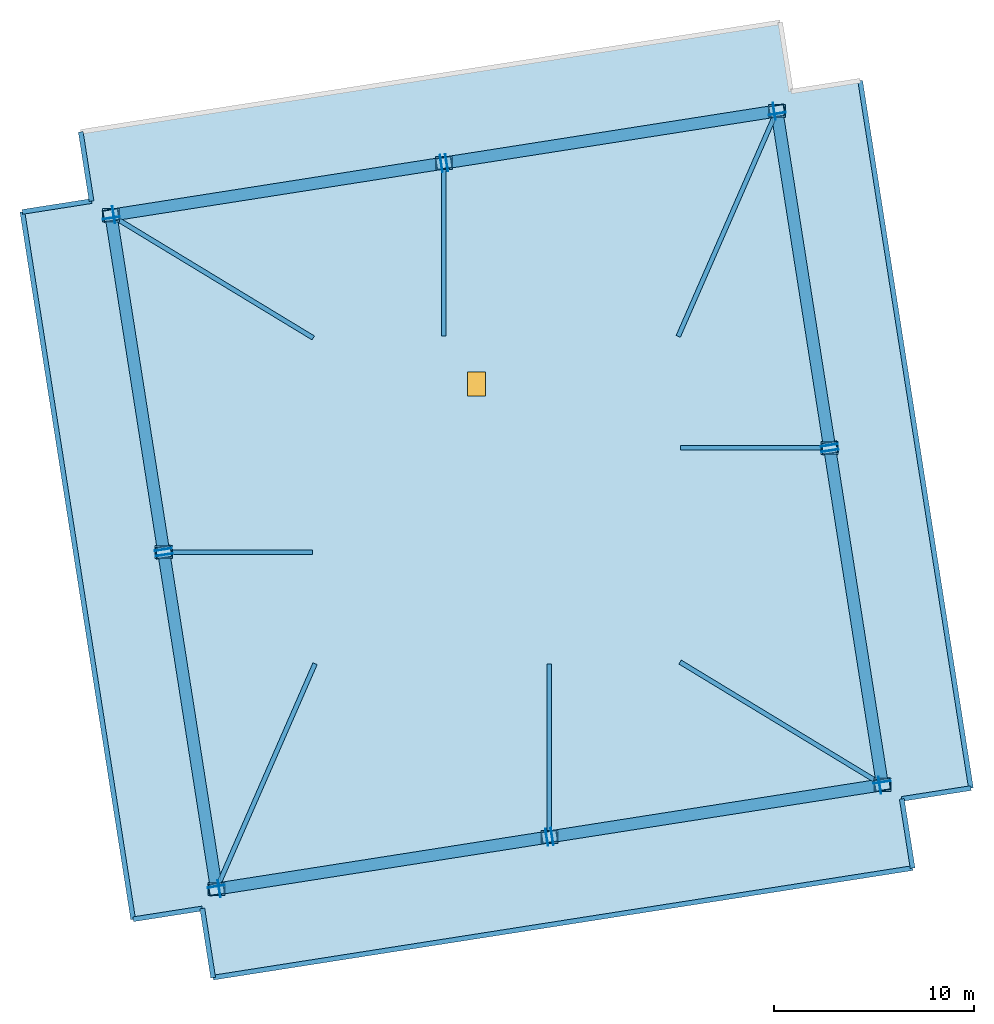
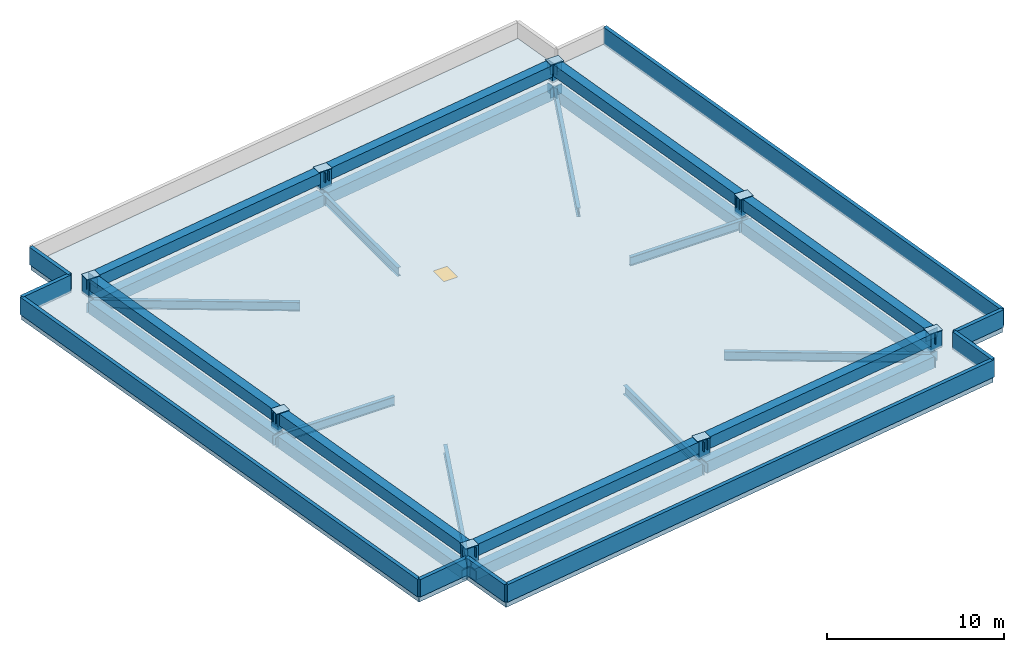
"""IFC4 building model written with IfcOpenShell, lengths in metres."""

from ifc_helpers import new_model, si_unit, direction, frame, frame_2d, origin, origin_2d, place, context, subcontext, project, spatial, polyline, rectangle, hollow_rectangle, i_section, outline, extrude, source, transform, mapped, material, layer, layer_set, material_profile, profile_set, type_object, element, fill, save


model = new_model("IFC4")

# Units and contexts
model_context = context("Model", 3, precision=1e-05, world=origin(), true_north=direction((0.0, 1.0)))
body_context = subcontext(model_context, "Body", "Model", "MODEL_VIEW")
ifc_project = project(units=[si_unit("LENGTHUNIT", "METRE"), si_unit("AREAUNIT", "SQUARE_METRE"), si_unit("VOLUMEUNIT", "CUBIC_METRE"), si_unit("PLANEANGLEUNIT", "RADIAN"), si_unit("MASSUNIT", "GRAM", prefix="KILO")], contexts=[model_context])

# Site, building, storey
site_placement = place(None, origin())
site = spatial("IfcSite", under=ifc_project, at=site_placement, CompositionType="ELEMENT")
building_placement = place(site_placement, origin())
building = spatial("IfcBuilding", under=site, at=building_placement, Name="Haldenkirk Collegiate Tower", CompositionType="ELEMENT")
storey_1_placement = place(building_placement, frame((0.0, 0.0, 375.0)))
storey_1 = spatial("IfcBuildingStorey", under=building, at=storey_1_placement, Name="ROOF", CompositionType="ELEMENT", Elevation=375.0)

# Columns
ifc_material_1 = material(Name="Steel ASTM A572 Grade 50", Category="steel")
ifc_material_profile_1 = material_profile(ifc_material_1, hollow_rectangle(XDim=0.60009765625, YDim=0.800048828125, WallThickness=0.0400390625, at=origin_2d()), Name="BOX800X600X40")
ifc_profile_set_1 = profile_set([ifc_material_profile_1], Name="Steel ASTM A572 Grade 50")
column_type = type_object("IfcColumnType", Name="COL-CROWN-BOX800", PredefinedType="COLUMN", material=ifc_profile_set_1)
for number, where, z_axis, x_axis, name in (
    (1, (55.284912109375, 11.76220703125, 0.0), (0.0, 0.0, 1.0), (-0.154710386299, 0.987959865769, 0.0), "ROOF Crown Ring Frame cap post CC-1"),
    (2, (52.647216796875, 28.60693359375, 0.0), (0.0, 0.0, 1.0), (-0.154710386299, 0.987959865769, 0.0), "ROOF Crown Ring Frame cap post CC-2"),
    (3, (50.00927734375, 45.45166015625, 0.0), (0.0, 0.0, 1.0), (-0.154710386299, 0.987959865769, 0.0), "ROOF Crown Ring Frame cap post CC-3"),
    (4, (33.3623046875, 42.8447265625, 0.0), (0.0, 0.0, 1.0), (-0.154710386299, 0.987959865769, 0.0), "ROOF Crown Ring Frame cap post CC-4"),
    (5, (16.715087890625, 40.23779296875, 0.0), (0.0, 0.0, 1.0), (-0.154710386299, 0.987959865769, 0.0), "ROOF Crown Ring Frame cap post CC-5"),
    (6, (19.352783203125, 23.39306640625, 0.0), (0.0, 0.0, 1.0), (-0.154710386299, 0.987959865769, 0.0), "ROOF Crown Ring Frame cap post CC-6"),
    (7, (21.99072265625, 6.54833984375, 0.0), (0.0, 0.0, 1.0), (-0.154710386299, 0.987959865769, 0.0), "ROOF Crown Ring Frame cap post CC-7"),
    (8, (38.6376953125, 9.1552734375, 0.0), (0.0, 0.0, 1.0), (-0.154710386299, 0.987959865769, 0.0), "ROOF Crown Ring Frame cap post CC-8"),
):
    element("IfcColumn", number, at=place(storey_1_placement, frame(where, z_axis=z_axis, x_axis=x_axis)), inside=storey_1, type_object=column_type, Name=name, PredefinedType="COLUMN", context=body_context, shape_type="SweptSolid", body=[
        extrude(hollow_rectangle(XDim=0.60009765625, YDim=0.800048828125, WallThickness=0.0400390625, at=origin_2d()), origin(), (0.0, 0.0, 1.0), 1.199951171875),
    ])

# Beams
ifc_material_2 = material(Name="Steel ASTM A992 Grade 50", Category="steel")
ifc_material_profile_2 = material_profile(ifc_material_2, i_section(OverallWidth=0.22998046875, OverallDepth=0.616943359375, WebThickness=0.01318359375, FlangeThickness=0.022216796875, at=origin_2d()), Name="W24X94")
ifc_profile_set_2 = profile_set([ifc_material_profile_2], Name="Steel ASTM A992 Grade 50")
beam_type_1 = type_object("IfcBeamType", Name="BM-GIRDER-W24X94", PredefinedType="BEAM", material=ifc_profile_set_2)
beam_1_placement = place(storey_1_placement, frame((55.156494140625, 11.840087890625, -0.728515625), z_axis=(-0.855035491558, 0.518569482496, 0.0), x_axis=(-0.518569482496, -0.855035491558, 0.0)))
element("IfcBeam", 9, at=beam_1_placement, inside=storey_1, type_object=beam_type_1, Name="ROOF crown radial floor beam 1", PredefinedType="BEAM", context=body_context, shape_type="SweptSolid", body=[
    extrude(i_section(OverallWidth=0.22998046875, OverallDepth=0.616943359375, WebThickness=0.01318359375, FlangeThickness=0.022216796875, at=origin_2d()), origin(), (0.0, 0.0, 1.0), 11.678466796875),
])
beam_2_placement = place(storey_1_placement, frame((52.4970703125, 28.60693359375, -0.728515625), z_axis=(-1.0, 0.0, 0.0), x_axis=(0.0, -1.0, 0.0)))
element("IfcBeam", 10, at=beam_2_placement, inside=storey_1, type_object=beam_type_1, Name="ROOF crown radial floor beam 2", PredefinedType="BEAM", context=body_context, shape_type="SweptSolid", body=[
    extrude(i_section(OverallWidth=0.22998046875, OverallDepth=0.616943359375, WebThickness=0.01318359375, FlangeThickness=0.022216796875, at=origin_2d()), origin(), (0.0, 0.0, 1.0), 7.297119140625),
])
beam_3_placement = place(storey_1_placement, frame((49.94921875, 45.314208984375, -0.728515625), z_axis=(-0.400769288395, -0.916179009517, 0.0), x_axis=(0.916179009517, -0.400769288395, 0.0)))
element("IfcBeam", 11, at=beam_3_placement, inside=storey_1, type_object=beam_type_1, Name="ROOF crown radial floor beam 3", PredefinedType="BEAM", context=body_context, shape_type="SweptSolid", body=[
    extrude(i_section(OverallWidth=0.22998046875, OverallDepth=0.616943359375, WebThickness=0.01318359375, FlangeThickness=0.022216796875, at=origin_2d()), origin(), (0.0, 0.0, 1.0), 12.1494140625),
])
beam_4_placement = place(storey_1_placement, frame((33.3623046875, 42.694580078125, -0.728515625), z_axis=(0.0, -1.0, 0.0), x_axis=(1.0, 0.0, 0.0)))
element("IfcBeam", 12, at=beam_4_placement, inside=storey_1, type_object=beam_type_1, Name="ROOF crown radial floor beam 4", PredefinedType="BEAM", context=body_context, shape_type="SweptSolid", body=[
    extrude(i_section(OverallWidth=0.22998046875, OverallDepth=0.616943359375, WebThickness=0.01318359375, FlangeThickness=0.022216796875, at=origin_2d()), origin(), (0.0, 0.0, 1.0), 8.49462890625),
])
beam_5_placement = place(storey_1_placement, frame((16.843505859375, 40.159912109375, -0.728515625), z_axis=(0.855035491558, -0.518569482496, 0.0), x_axis=(0.518569482496, 0.855035491558, 0.0)))
element("IfcBeam", 13, at=beam_5_placement, inside=storey_1, type_object=beam_type_1, Name="ROOF crown radial floor beam 5", PredefinedType="BEAM", context=body_context, shape_type="SweptSolid", body=[
    extrude(i_section(OverallWidth=0.22998046875, OverallDepth=0.616943359375, WebThickness=0.01318359375, FlangeThickness=0.022216796875, at=origin_2d()), origin(), (0.0, 0.0, 1.0), 11.678466796875),
])
beam_6_placement = place(storey_1_placement, frame((19.5029296875, 23.39306640625, -0.728515625), z_axis=(1.0, 0.0, 0.0), x_axis=(0.0, 1.0, 0.0)))
element("IfcBeam", 14, at=beam_6_placement, inside=storey_1, type_object=beam_type_1, Name="ROOF crown radial floor beam 6", PredefinedType="BEAM", context=body_context, shape_type="SweptSolid", body=[
    extrude(i_section(OverallWidth=0.22998046875, OverallDepth=0.616943359375, WebThickness=0.01318359375, FlangeThickness=0.022216796875, at=origin_2d()), origin(), (0.0, 0.0, 1.0), 7.297119140625),
])
beam_7_placement = place(storey_1_placement, frame((22.05078125, 6.685791015625, -0.728515625), z_axis=(0.400769288395, 0.916179009517, 0.0), x_axis=(-0.916179009517, 0.400769288395, 0.0)))
element("IfcBeam", 15, at=beam_7_placement, inside=storey_1, type_object=beam_type_1, Name="ROOF crown radial floor beam 7", PredefinedType="BEAM", context=body_context, shape_type="SweptSolid", body=[
    extrude(i_section(OverallWidth=0.22998046875, OverallDepth=0.616943359375, WebThickness=0.01318359375, FlangeThickness=0.022216796875, at=origin_2d()), origin(), (0.0, 0.0, 1.0), 12.1494140625),
])
beam_8_placement = place(storey_1_placement, frame((38.6376953125, 9.305419921875, -0.728515625), z_axis=(0.0, 1.0, 0.0), x_axis=(-1.0, 0.0, 0.0)))
element("IfcBeam", 16, at=beam_8_placement, inside=storey_1, type_object=beam_type_1, Name="ROOF crown radial floor beam 8", PredefinedType="BEAM", context=body_context, shape_type="SweptSolid", body=[
    extrude(i_section(OverallWidth=0.22998046875, OverallDepth=0.616943359375, WebThickness=0.01318359375, FlangeThickness=0.022216796875, at=origin_2d()), origin(), (0.0, 0.0, 1.0), 8.49462890625),
])
ifc_material_profile_3 = material_profile(ifc_material_1, hollow_rectangle(XDim=0.60009765625, YDim=0.800048828125, WallThickness=0.0400390625, at=origin_2d()), Name="BOX800X600X40")
ifc_profile_set_3 = profile_set([ifc_material_profile_3], Name="Steel ASTM A572 Grade 50")
beam_type_2 = type_object("IfcBeamType", Name="BM-SPANDREL-BOX800X600X40", PredefinedType="SPANDREL", material=ifc_profile_set_3)
for number, where, z_axis, x_axis, name in (
    (17, (55.26171875, 11.910400390625, -0.820068359375), (-0.154705009471, 0.987960707743, 0.0), (-0.987960707743, -0.154705009471, 0.0), "ROOF Crown Ring Frame perimeter girder 1"),
    (18, (52.623779296875, 28.755126953125, -0.820068359375), (-0.154705009471, 0.987960707743, 0.0), (-0.987960707743, -0.154705009471, 0.0), "ROOF Crown Ring Frame perimeter girder 2"),
):
    element("IfcBeam", number, at=place(storey_1_placement, frame(where, z_axis=z_axis, x_axis=x_axis)), inside=storey_1, type_object=beam_type_2, Name=name, PredefinedType="SPANDREL", context=body_context, shape_type="SweptSolid", body=[
        extrude(hollow_rectangle(XDim=0.60009765625, YDim=0.800048828125, WallThickness=0.0400390625, at=origin_2d()), origin(), (0.0, 0.0, 1.0), 16.75),
    ])
beam_9_placement = place(storey_1_placement, frame((49.861083984375, 45.428466796875, -0.820068359375), z_axis=(-0.987958818005, -0.154717077036, 0.0), x_axis=(0.154717077036, -0.987958818005, 0.0)))
element("IfcBeam", 19, at=beam_9_placement, inside=storey_1, type_object=beam_type_2, Name="ROOF Crown Ring Frame perimeter girder 3", PredefinedType="SPANDREL", context=body_context, shape_type="SweptSolid", body=[
    extrude(hollow_rectangle(XDim=0.60009765625, YDim=0.800048828125, WallThickness=0.0400390625, at=origin_2d()), origin(), (0.0, 0.0, 1.0), 16.5498046875),
])
beam_10_placement = place(storey_1_placement, frame((33.214111328125, 42.821533203125, -0.820068359375), z_axis=(-0.987959171117, -0.154714822192, 0.0), x_axis=(0.154714822192, -0.987959171117, 0.0)))
element("IfcBeam", 20, at=beam_10_placement, inside=storey_1, type_object=beam_type_2, Name="ROOF Crown Ring Frame perimeter girder 4", PredefinedType="SPANDREL", context=body_context, shape_type="SweptSolid", body=[
    extrude(hollow_rectangle(XDim=0.60009765625, YDim=0.800048828125, WallThickness=0.0400390625, at=origin_2d()), origin(), (0.0, 0.0, 1.0), 16.550048828125),
])
for number, where, z_axis, x_axis, name in (
    (21, (16.73828125, 40.089599609375, -0.820068359375), (0.154705009471, -0.987960707743, 0.0), (0.987960707743, 0.154705009471, 0.0), "ROOF Crown Ring Frame perimeter girder 5"),
    (22, (19.376220703125, 23.244873046875, -0.820068359375), (0.154705009471, -0.987960707743, 0.0), (0.987960707743, 0.154705009471, 0.0), "ROOF Crown Ring Frame perimeter girder 6"),
):
    element("IfcBeam", number, at=place(storey_1_placement, frame(where, z_axis=z_axis, x_axis=x_axis)), inside=storey_1, type_object=beam_type_2, Name=name, PredefinedType="SPANDREL", context=body_context, shape_type="SweptSolid", body=[
        extrude(hollow_rectangle(XDim=0.60009765625, YDim=0.800048828125, WallThickness=0.0400390625, at=origin_2d()), origin(), (0.0, 0.0, 1.0), 16.75),
    ])
beam_11_placement = place(storey_1_placement, frame((22.138916015625, 6.571533203125, -0.820068359375), z_axis=(0.987958818005, 0.154717077036, 0.0), x_axis=(-0.154717077036, 0.987958818005, 0.0)))
element("IfcBeam", 23, at=beam_11_placement, inside=storey_1, type_object=beam_type_2, Name="ROOF Crown Ring Frame perimeter girder 7", PredefinedType="SPANDREL", context=body_context, shape_type="SweptSolid", body=[
    extrude(hollow_rectangle(XDim=0.60009765625, YDim=0.800048828125, WallThickness=0.0400390625, at=origin_2d()), origin(), (0.0, 0.0, 1.0), 16.5498046875),
])
beam_12_placement = place(storey_1_placement, frame((38.785888671875, 9.178466796875, -0.820068359375), z_axis=(0.987959171117, 0.154714822192, 0.0), x_axis=(-0.154714822192, 0.987959171117, 0.0)))
element("IfcBeam", 24, at=beam_12_placement, inside=storey_1, type_object=beam_type_2, Name="ROOF Crown Ring Frame perimeter girder 8", PredefinedType="SPANDREL", context=body_context, shape_type="SweptSolid", body=[
    extrude(hollow_rectangle(XDim=0.60009765625, YDim=0.800048828125, WallThickness=0.0400390625, at=origin_2d()), origin(), (0.0, 0.0, 1.0), 16.550048828125),
])
for number, where, z_axis, x_axis, name in (
    (25, (55.26171875, 11.910400390625, 0.800048828125), (-0.154705009471, 0.987960707743, 0.0), (-0.987960707743, -0.154705009471, 0.0), "ROOF Crown Ring Frame top cap girder 1"),
    (26, (52.623779296875, 28.755126953125, 0.800048828125), (-0.154705009471, 0.987960707743, 0.0), (-0.987960707743, -0.154705009471, 0.0), "ROOF Crown Ring Frame top cap girder 2"),
):
    element("IfcBeam", number, at=place(storey_1_placement, frame(where, z_axis=z_axis, x_axis=x_axis)), inside=storey_1, type_object=beam_type_2, Name=name, PredefinedType="SPANDREL", context=body_context, shape_type="SweptSolid", body=[
        extrude(hollow_rectangle(XDim=0.60009765625, YDim=0.800048828125, WallThickness=0.0400390625, at=origin_2d()), origin(), (0.0, 0.0, 1.0), 16.75),
    ])
beam_13_placement = place(storey_1_placement, frame((49.861083984375, 45.428466796875, 0.800048828125), z_axis=(-0.987958818005, -0.154717077036, 0.0), x_axis=(0.154717077036, -0.987958818005, 0.0)))
element("IfcBeam", 27, at=beam_13_placement, inside=storey_1, type_object=beam_type_2, Name="ROOF Crown Ring Frame top cap girder 3", PredefinedType="SPANDREL", context=body_context, shape_type="SweptSolid", body=[
    extrude(hollow_rectangle(XDim=0.60009765625, YDim=0.800048828125, WallThickness=0.0400390625, at=origin_2d()), origin(), (0.0, 0.0, 1.0), 16.5498046875),
])
beam_14_placement = place(storey_1_placement, frame((33.214111328125, 42.821533203125, 0.800048828125), z_axis=(-0.987959171117, -0.154714822192, 0.0), x_axis=(0.154714822192, -0.987959171117, 0.0)))
element("IfcBeam", 28, at=beam_14_placement, inside=storey_1, type_object=beam_type_2, Name="ROOF Crown Ring Frame top cap girder 4", PredefinedType="SPANDREL", context=body_context, shape_type="SweptSolid", body=[
    extrude(hollow_rectangle(XDim=0.60009765625, YDim=0.800048828125, WallThickness=0.0400390625, at=origin_2d()), origin(), (0.0, 0.0, 1.0), 16.550048828125),
])
for number, where, z_axis, x_axis, name in (
    (29, (16.73828125, 40.089599609375, 0.800048828125), (0.154705009471, -0.987960707743, 0.0), (0.987960707743, 0.154705009471, 0.0), "ROOF Crown Ring Frame top cap girder 5"),
    (30, (19.376220703125, 23.244873046875, 0.800048828125), (0.154705009471, -0.987960707743, 0.0), (0.987960707743, 0.154705009471, 0.0), "ROOF Crown Ring Frame top cap girder 6"),
):
    element("IfcBeam", number, at=place(storey_1_placement, frame(where, z_axis=z_axis, x_axis=x_axis)), inside=storey_1, type_object=beam_type_2, Name=name, PredefinedType="SPANDREL", context=body_context, shape_type="SweptSolid", body=[
        extrude(hollow_rectangle(XDim=0.60009765625, YDim=0.800048828125, WallThickness=0.0400390625, at=origin_2d()), origin(), (0.0, 0.0, 1.0), 16.75),
    ])
beam_15_placement = place(storey_1_placement, frame((22.138916015625, 6.571533203125, 0.800048828125), z_axis=(0.987958818005, 0.154717077036, 0.0), x_axis=(-0.154717077036, 0.987958818005, 0.0)))
element("IfcBeam", 31, at=beam_15_placement, inside=storey_1, type_object=beam_type_2, Name="ROOF Crown Ring Frame top cap girder 7", PredefinedType="SPANDREL", context=body_context, shape_type="SweptSolid", body=[
    extrude(hollow_rectangle(XDim=0.60009765625, YDim=0.800048828125, WallThickness=0.0400390625, at=origin_2d()), origin(), (0.0, 0.0, 1.0), 16.5498046875),
])
beam_16_placement = place(storey_1_placement, frame((38.785888671875, 9.178466796875, 0.800048828125), z_axis=(0.987959171117, 0.154714822192, 0.0), x_axis=(-0.154714822192, 0.987959171117, 0.0)))
element("IfcBeam", 32, at=beam_16_placement, inside=storey_1, type_object=beam_type_2, Name="ROOF Crown Ring Frame top cap girder 8", PredefinedType="SPANDREL", context=body_context, shape_type="SweptSolid", body=[
    extrude(hollow_rectangle(XDim=0.60009765625, YDim=0.800048828125, WallThickness=0.0400390625, at=origin_2d()), origin(), (0.0, 0.0, 1.0), 16.550048828125),
])

# Slab, opening
ifc_material_3 = material(Name="Concrete f'c 40 MPa", Category="concrete")
ifc_layer_1 = layer(ifc_material_3, 0.419921875)
ifc_layer_set_1 = layer_set([ifc_layer_1], Name="Concrete f'c 40 MPa")
slab_type = type_object("IfcSlabType", Name="SLB-CROWN-ROOF-340", PredefinedType="ROOF", material=ifc_layer_set_1)
slab_placement = place(storey_1_placement, frame((0.0, 0.0, -0.419921875)))
slab = element("IfcSlab", 33, at=slab_placement, inside=storey_1, type_object=slab_type, Name="Crown structural flat roof slab", PredefinedType="ROOF", context=body_context, shape_type="SweptSolid", body=[
    extrude(outline(polyline([(59.714111328125, 11.595458984375), (54.17529296875, 46.96435546875), (50.717529296875, 46.4228515625), (50.176025390625, 49.880615234375), (15.202392578125, 44.404052734375), (15.743896484375, 40.946044921875), (12.285888671875, 40.404541015625), (17.82470703125, 5.03564453125), (21.282470703125, 5.5771484375), (21.823974609375, 2.119384765625), (56.797607421875, 7.595947265625), (56.256103515625, 11.053955078125), (59.714111328125, 11.595458984375)])), origin(), (0.0, 0.0, 1.0), 0.419921875),
])
opening_placement = place(slab_placement, frame((35.0, 31.800048828125, -0.010009765625)))
opening = element("IfcOpeningElement", 34, at=opening_placement, cuts=slab, Name="Opening D-RH11", PredefinedType="OPENING", context=body_context, shape_type="SweptSolid", body=[
    extrude(rectangle(XDim=0.89990234375, YDim=1.199951171875, at=origin_2d()), origin(), (0.0, 0.0, 1.0), 0.43994140625),
])

# Storey
storey_2_placement = place(building_placement, frame((0.0, 0.0, 371.39990234375)))
storey_2 = spatial("IfcBuildingStorey", under=building, at=storey_2_placement, Name="L94", CompositionType="ELEMENT", Elevation=371.39990234375)

# Door
ifc_material_4 = material(Name="Galvanized fire-rated hollow steel door", Category="steel")
ifc_layer_2 = layer(ifc_material_4, 0.06005859375)
ifc_layer_set_2 = layer_set([ifc_layer_2], Name="Galvanized fire-rated hollow steel door")
door_type = type_object("IfcDoorType", Name="DR-HATCH-900", OperationType="NOTDEFINED", PredefinedType="TRAPDOOR", material=ifc_layer_set_2)
door_placement = place(slab_placement, frame((35.0, 31.800048828125, 0.369873046875)))
door = element("IfcDoor", 35, at=door_placement, inside=storey_2, type_object=door_type, Name="Crown flat roof insulated maintenance access hatch D-RH11", OperationType="SINGLE_SWING_LEFT", OverallHeight=1.199951171875, OverallWidth=0.89990234375, PredefinedType="TRAPDOOR", context=body_context, shape_type="SweptSolid", body=[
    extrude(rectangle(XDim=0.89990234375, YDim=1.199951171875, at=origin_2d()), origin(), (0.0, 0.0, 1.0), 0.050048828125),
])

fill(opening, door)

# Plates
ifc_layer_3 = layer(ifc_material_1, 0.034912109375)
ifc_layer_set_3 = layer_set([ifc_layer_3], Name="Steel ASTM A572 Grade 50")
plate_type = type_object("IfcPlateType", Name="PLT-CAP-EXT-760X600", PredefinedType="USERDEFINED", material=ifc_layer_set_3)
shared_shape = source(origin(), body_context, "Body", "SweptSolid", [
    extrude(rectangle(XDim=0.860107421875, YDim=0.659912109375, at=origin_2d()), origin(), (0.0, 0.0, 1.0), 0.034912109375),
])
for number, where, z_axis, x_axis, name in (
    (36, (55.284912109375, 11.76220703125, 1.197265625), (0.0, 0.0, 1.0), (1.0, 0.0, 0.0), "ROOF Crown Ring Frame cap post CC-1 top seal plate"),
    (37, (52.647216796875, 28.60693359375, 1.197265625), (0.0, 0.0, 1.0), (1.0, 0.0, 0.0), "ROOF Crown Ring Frame cap post CC-2 top seal plate"),
    (38, (50.00927734375, 45.45166015625, 1.197265625), (0.0, 0.0, 1.0), (1.0, 0.0, 0.0), "ROOF Crown Ring Frame cap post CC-3 top seal plate"),
    (39, (33.3623046875, 42.8447265625, 1.197265625), (0.0, 0.0, 1.0), (1.0, 0.0, 0.0), "ROOF Crown Ring Frame cap post CC-4 top seal plate"),
    (40, (16.715087890625, 40.23779296875, 1.197265625), (0.0, 0.0, 1.0), (1.0, 0.0, 0.0), "ROOF Crown Ring Frame cap post CC-5 top seal plate"),
    (41, (19.352783203125, 23.39306640625, 1.197265625), (0.0, 0.0, 1.0), (1.0, 0.0, 0.0), "ROOF Crown Ring Frame cap post CC-6 top seal plate"),
    (42, (21.99072265625, 6.54833984375, 1.197265625), (0.0, 0.0, 1.0), (1.0, 0.0, 0.0), "ROOF Crown Ring Frame cap post CC-7 top seal plate"),
    (43, (38.6376953125, 9.1552734375, 1.197265625), (0.0, 0.0, 1.0), (1.0, 0.0, 0.0), "ROOF Crown Ring Frame cap post CC-8 top seal plate"),
    (44, (55.26123046875, 11.913330078125, -0.820068359375), (0.154710964794, -0.987959775179, 0.0), (0.987959775179, 0.154710964794, 0.0), "ROOF Crown Ring Frame perimeter girder 1 end cap plate 1"),
    (45, (52.6708984375, 28.45556640625, -0.820068359375), (-0.154710964794, 0.987959775179, 0.0), (-0.987959775179, -0.154710964794, 0.0), "ROOF Crown Ring Frame perimeter girder 1 end cap plate 2"),
    (46, (52.62353515625, 28.758056640625, -0.820068359375), (0.154710964794, -0.987959775179, 0.0), (0.987959775179, 0.154710964794, 0.0), "ROOF Crown Ring Frame perimeter girder 2 end cap plate 1"),
    (47, (50.032958984375, 45.30029296875, -0.820068359375), (-0.154710964794, 0.987959775179, 0.0), (-0.987959775179, -0.154710964794, 0.0), "ROOF Crown Ring Frame perimeter girder 2 end cap plate 2"),
    (48, (49.858154296875, 45.427978515625, -0.820068359375), (0.987959445545, 0.154713069772, 0.0), (-0.154713069772, 0.987959445545, 0.0), "ROOF Crown Ring Frame perimeter girder 3 end cap plate 1"),
    (49, (33.513427734375, 42.868408203125, -0.820068359375), (-0.987959445545, -0.154713069772, 0.0), (0.154713069772, -0.987959445545, 0.0), "ROOF Crown Ring Frame perimeter girder 3 end cap plate 2"),
    (50, (33.2109375, 42.821044921875, -0.820068359375), (0.987959445545, 0.154713069772, 0.0), (-0.154713069772, 0.987959445545, 0.0), "ROOF Crown Ring Frame perimeter girder 4 end cap plate 1"),
    (51, (16.866455078125, 40.261474609375, -0.820068359375), (-0.987959445545, -0.154713069772, 0.0), (0.154713069772, -0.987959445545, 0.0), "ROOF Crown Ring Frame perimeter girder 4 end cap plate 2"),
    (52, (16.73876953125, 40.086669921875, -0.820068359375), (-0.154710964794, 0.987959775179, 0.0), (-0.987959775179, -0.154710964794, 0.0), "ROOF Crown Ring Frame perimeter girder 5 end cap plate 1"),
    (53, (19.3291015625, 23.54443359375, -0.820068359375), (0.154710964794, -0.987959775179, 0.0), (0.987959775179, 0.154710964794, 0.0), "ROOF Crown Ring Frame perimeter girder 5 end cap plate 2"),
    (54, (19.37646484375, 23.241943359375, -0.820068359375), (-0.154710964794, 0.987959775179, 0.0), (-0.987959775179, -0.154710964794, 0.0), "ROOF Crown Ring Frame perimeter girder 6 end cap plate 1"),
    (55, (21.967041015625, 6.69970703125, -0.820068359375), (0.154710964794, -0.987959775179, 0.0), (0.987959775179, 0.154710964794, 0.0), "ROOF Crown Ring Frame perimeter girder 6 end cap plate 2"),
    (56, (22.141845703125, 6.572021484375, -0.820068359375), (-0.987959445545, -0.154713069772, 0.0), (0.154713069772, -0.987959445545, 0.0), "ROOF Crown Ring Frame perimeter girder 7 end cap plate 1"),
    (57, (38.486572265625, 9.131591796875, -0.820068359375), (0.987959445545, 0.154713069772, 0.0), (-0.154713069772, 0.987959445545, 0.0), "ROOF Crown Ring Frame perimeter girder 7 end cap plate 2"),
    (58, (38.7890625, 9.178955078125, -0.820068359375), (-0.987959445545, -0.154713069772, 0.0), (0.154713069772, -0.987959445545, 0.0), "ROOF Crown Ring Frame perimeter girder 8 end cap plate 1"),
    (59, (55.133544921875, 11.738525390625, -0.820068359375), (0.987959445545, 0.154713069772, 0.0), (-0.154713069772, 0.987959445545, 0.0), "ROOF Crown Ring Frame perimeter girder 8 end cap plate 2"),
    (60, (55.26123046875, 11.913330078125, 0.800048828125), (0.154710964794, -0.987959775179, 0.0), (0.987959775179, 0.154710964794, 0.0), "ROOF Crown Ring Frame top cap girder 1 end cap plate 1"),
    (61, (52.6708984375, 28.45556640625, 0.800048828125), (-0.154710964794, 0.987959775179, 0.0), (-0.987959775179, -0.154710964794, 0.0), "ROOF Crown Ring Frame top cap girder 1 end cap plate 2"),
    (62, (52.62353515625, 28.758056640625, 0.800048828125), (0.154710964794, -0.987959775179, 0.0), (0.987959775179, 0.154710964794, 0.0), "ROOF Crown Ring Frame top cap girder 2 end cap plate 1"),
    (63, (50.032958984375, 45.30029296875, 0.800048828125), (-0.154710964794, 0.987959775179, 0.0), (-0.987959775179, -0.154710964794, 0.0), "ROOF Crown Ring Frame top cap girder 2 end cap plate 2"),
    (64, (49.858154296875, 45.427978515625, 0.800048828125), (0.987959445545, 0.154713069772, 0.0), (-0.154713069772, 0.987959445545, 0.0), "ROOF Crown Ring Frame top cap girder 3 end cap plate 1"),
    (65, (33.513427734375, 42.868408203125, 0.800048828125), (-0.987959445545, -0.154713069772, 0.0), (0.154713069772, -0.987959445545, 0.0), "ROOF Crown Ring Frame top cap girder 3 end cap plate 2"),
    (66, (33.2109375, 42.821044921875, 0.800048828125), (0.987959445545, 0.154713069772, 0.0), (-0.154713069772, 0.987959445545, 0.0), "ROOF Crown Ring Frame top cap girder 4 end cap plate 1"),
    (67, (16.866455078125, 40.261474609375, 0.800048828125), (-0.987959445545, -0.154713069772, 0.0), (0.154713069772, -0.987959445545, 0.0), "ROOF Crown Ring Frame top cap girder 4 end cap plate 2"),
    (68, (16.73876953125, 40.086669921875, 0.800048828125), (-0.154710964794, 0.987959775179, 0.0), (-0.987959775179, -0.154710964794, 0.0), "ROOF Crown Ring Frame top cap girder 5 end cap plate 1"),
    (69, (19.3291015625, 23.54443359375, 0.800048828125), (0.154710964794, -0.987959775179, 0.0), (0.987959775179, 0.154710964794, 0.0), "ROOF Crown Ring Frame top cap girder 5 end cap plate 2"),
    (70, (19.37646484375, 23.241943359375, 0.800048828125), (-0.154710964794, 0.987959775179, 0.0), (-0.987959775179, -0.154710964794, 0.0), "ROOF Crown Ring Frame top cap girder 6 end cap plate 1"),
    (71, (21.967041015625, 6.69970703125, 0.800048828125), (0.154710964794, -0.987959775179, 0.0), (0.987959775179, 0.154710964794, 0.0), "ROOF Crown Ring Frame top cap girder 6 end cap plate 2"),
    (72, (22.141845703125, 6.572021484375, 0.800048828125), (-0.987959445545, -0.154713069772, 0.0), (0.154713069772, -0.987959445545, 0.0), "ROOF Crown Ring Frame top cap girder 7 end cap plate 1"),
    (73, (38.486572265625, 9.131591796875, 0.800048828125), (0.987959445545, 0.154713069772, 0.0), (-0.154713069772, 0.987959445545, 0.0), "ROOF Crown Ring Frame top cap girder 7 end cap plate 2"),
    (74, (38.7890625, 9.178955078125, 0.800048828125), (-0.987959445545, -0.154713069772, 0.0), (0.154713069772, -0.987959445545, 0.0), "ROOF Crown Ring Frame top cap girder 8 end cap plate 1"),
    (75, (55.133544921875, 11.738525390625, 0.800048828125), (0.987959445545, 0.154713069772, 0.0), (-0.154713069772, 0.987959445545, 0.0), "ROOF Crown Ring Frame top cap girder 8 end cap plate 2"),
):
    element("IfcPlate", number, at=place(storey_1_placement, frame(where, z_axis=z_axis, x_axis=x_axis)), inside=storey_1, type_object=plate_type, Name=name, ObjectType="END CAP PLATE", PredefinedType="USERDEFINED", context=body_context, shape_type="MappedRepresentation", body=[
        mapped(shared_shape, transform((0.0, 0.0, 0.0), x_axis=(1.0, 0.0, 0.0), y_axis=(0.0, 1.0, 0.0), z_axis=(0.0, 0.0, 1.0), scale=1.0)),
    ])

# Walls
ifc_material_5 = material(Name="Precast concrete f'c 40 MPa", Category="concrete")
ifc_layer_4 = layer(ifc_material_5, 0.239990234375)
ifc_layer_set_4 = layer_set([ifc_layer_4], Name="Precast concrete f'c 40 MPa")
wall_type = type_object("IfcWallType", Name="WL-PARAPET-240", PredefinedType="PARAPET", material=ifc_layer_set_4)
wall_1_placement = place(storey_1_placement, frame((54.17529296875, 46.96435546875, 0.0), z_axis=(0.0, 0.0, 1.0), x_axis=(0.154715756741, -0.987959024766, 0.0)))
element("IfcWall", 76, at=wall_1_placement, inside=storey_1, type_object=wall_type, Name="ROOF closed crown ring parapet 01", PredefinedType="PARAPET", context=body_context, shape_type="SweptSolid", body=[
    extrude(rectangle(XDim=35.800048828125, YDim=0.239990234375, at=frame_2d((17.89990234375, 0.0))), origin(), (0.0, 0.0, 1.0), 1.199951171875),
])
for number, where, z_axis, x_axis, name in (
    (77, (15.743896484375, 40.946044921875, 0.0), (0.0, 0.0, 1.0), (-0.154708806205, 0.987960113204, 0.0), "ROOF closed crown ring parapet 05"),
    (78, (12.285888671875, 40.404541015625, 0.0), (0.0, 0.0, 1.0), (0.987960113204, 0.154708806205, 0.0), "ROOF closed crown ring parapet 06"),
):
    element("IfcWall", number, at=place(storey_1_placement, frame(where, z_axis=z_axis, x_axis=x_axis)), inside=storey_1, type_object=wall_type, Name=name, PredefinedType="PARAPET", context=body_context, shape_type="SweptSolid", body=[
        extrude(rectangle(XDim=3.500244140625, YDim=0.239990234375, at=frame_2d((1.75, 0.0))), origin(), (0.0, 0.0, 1.0), 1.199951171875),
    ])
wall_2_placement = place(storey_1_placement, frame((17.82470703125, 5.03564453125, 0.0), z_axis=(0.0, 0.0, 1.0), x_axis=(-0.154715756741, 0.987959024766, 0.0)))
element("IfcWall", 79, at=wall_2_placement, inside=storey_1, type_object=wall_type, Name="ROOF closed crown ring parapet 07", PredefinedType="PARAPET", context=body_context, shape_type="SweptSolid", body=[
    extrude(rectangle(XDim=35.800048828125, YDim=0.239990234375, at=frame_2d((17.89990234375, 0.0))), origin(), (0.0, 0.0, 1.0), 1.199951171875),
])
for number, where, z_axis, x_axis, name in (
    (80, (21.282470703125, 5.5771484375, 0.0), (0.0, 0.0, 1.0), (-0.987958443543, -0.154719468176, 0.0), "ROOF closed crown ring parapet 08"),
    (81, (21.823974609375, 2.119384765625, 0.0), (0.0, 0.0, 1.0), (-0.154719468176, 0.987958443543, 0.0), "ROOF closed crown ring parapet 09"),
):
    element("IfcWall", number, at=place(storey_1_placement, frame(where, z_axis=z_axis, x_axis=x_axis)), inside=storey_1, type_object=wall_type, Name=name, PredefinedType="PARAPET", context=body_context, shape_type="SweptSolid", body=[
        extrude(rectangle(XDim=3.5, YDim=0.239990234375, at=frame_2d((1.75, 0.0))), origin(), (0.0, 0.0, 1.0), 1.199951171875),
    ])
wall_3_placement = place(storey_1_placement, frame((56.797607421875, 7.595947265625, 0.0), z_axis=(0.0, 0.0, 1.0), x_axis=(-0.987960566288, -0.154705912818, 0.0)))
element("IfcWall", 82, at=wall_3_placement, inside=storey_1, type_object=wall_type, Name="ROOF closed crown ring parapet 10", PredefinedType="PARAPET", context=body_context, shape_type="SweptSolid", body=[
    extrude(rectangle(XDim=35.39990234375, YDim=0.239990234375, at=frame_2d((17.699951171875, 0.0))), origin(), (0.0, 0.0, 1.0), 1.199951171875),
])
for number, where, z_axis, x_axis, name in (
    (83, (56.256103515625, 11.053955078125, 0.0), (0.0, 0.0, 1.0), (0.154708806205, -0.987960113204, 0.0), "ROOF closed crown ring parapet 11"),
    (84, (59.714111328125, 11.595458984375, 0.0), (0.0, 0.0, 1.0), (-0.987960113204, -0.154708806205, 0.0), "ROOF closed crown ring parapet 12"),
):
    element("IfcWall", number, at=place(storey_1_placement, frame(where, z_axis=z_axis, x_axis=x_axis)), inside=storey_1, type_object=wall_type, Name=name, PredefinedType="PARAPET", context=body_context, shape_type="SweptSolid", body=[
        extrude(rectangle(XDim=3.500244140625, YDim=0.239990234375, at=frame_2d((1.75, 0.0))), origin(), (0.0, 0.0, 1.0), 1.199951171875),
    ])

save(model, "model.ifc")
